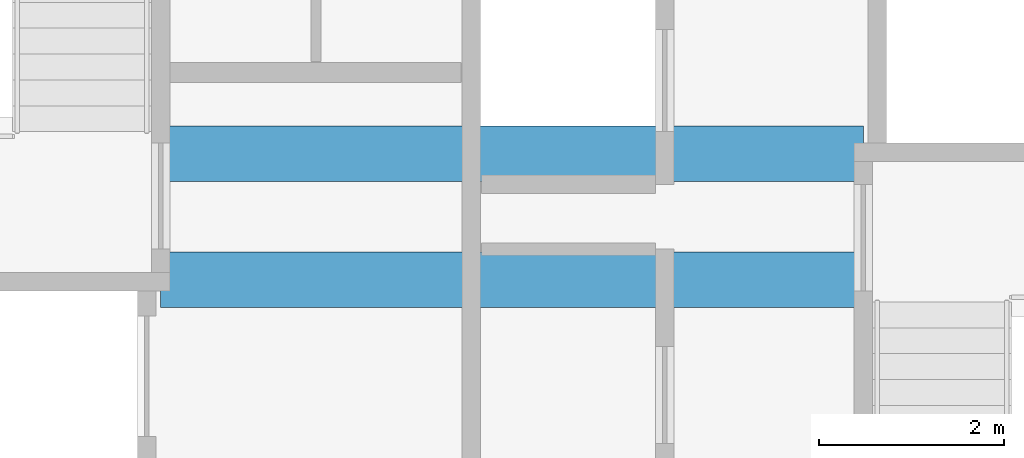
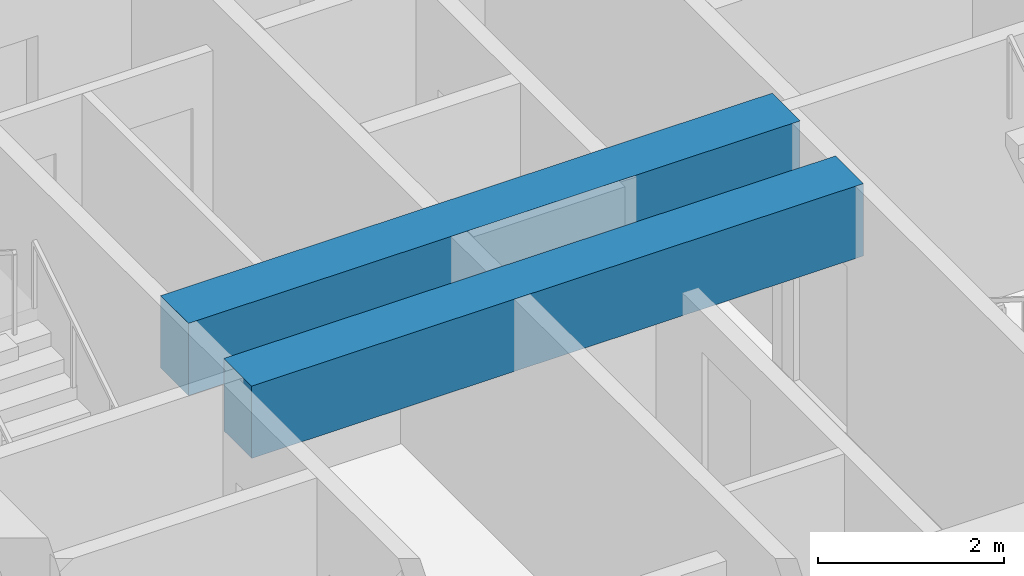
# One storey, part 9 of 48: 2 beams.
"""IFC4 building model written with IfcOpenShell, lengths in metres."""

from ifc_helpers import new_model, si_unit, direction, frame, origin, origin_2d, place, context, subcontext, project, spatial, rectangle, extrude, material, material_profile, profile_set, type_object, element, save


model = new_model("IFC4")

# Units and contexts
model_context = context("Model", 3, precision=1e-05, world=origin(), true_north=direction((0.0, 1.0)))
body_context = subcontext(model_context, "Body", "Model", "MODEL_VIEW")
ifc_project = project(units=[si_unit("LENGTHUNIT", "METRE"), si_unit("AREAUNIT", "SQUARE_METRE"), si_unit("VOLUMEUNIT", "CUBIC_METRE"), si_unit("PLANEANGLEUNIT", "RADIAN"), si_unit("MASSUNIT", "GRAM", prefix="KILO")], contexts=[model_context])

# Site, building, storey
site_placement = place(None, origin())
site = spatial("IfcSite", under=ifc_project, at=site_placement, CompositionType="ELEMENT")
building_placement = place(site_placement, origin())
building = spatial("IfcBuilding", under=site, at=building_placement, Name="Tashvorn Skyway Center", CompositionType="ELEMENT")
storey_placement = place(building_placement, frame((0.0, 0.0, 125.050048828125)))
storey = spatial("IfcBuildingStorey", under=building, at=storey_placement, Name="L33", CompositionType="ELEMENT", Elevation=125.050048828125)

# Beams
ifc_material = material(Name="Concrete C60/75", Category="concrete")
ifc_material_profile = material_profile(ifc_material, rectangle(XDim=0.60009765625, YDim=0.949951171875, at=origin_2d()), Name="RCB600x950")
ifc_profile_set = profile_set([ifc_material_profile], Name="Concrete C60/75")
beam_type = type_object("IfcBeamType", Name="BM-LINTEL-RCB600x950", PredefinedType="LINTEL", material=ifc_profile_set)
for number, where, z_axis, x_axis, name in (
    (1, (38.199951171875, 32.679931640625, 2.89501953125), (1.0, 0.0, 0.0), (0.0, 1.0, 0.0), "Tower 1 L33 Core Coupling Beam CN"),
    (2, (38.199951171875, 31.320068359375, 2.89501953125), (1.0, 0.0, 0.0), (0.0, 1.0, 0.0), "Tower 1 L33 Core Coupling Beam CS"),
):
    element("IfcBeam", number, at=place(storey_placement, frame(where, z_axis=z_axis, x_axis=x_axis)), inside=storey, type_object=beam_type, Name=name, PredefinedType="LINTEL", context=body_context, shape_type="SweptSolid", body=[
        extrude(rectangle(XDim=0.60009765625, YDim=0.949951171875, at=origin_2d()), origin(), (0.0, 0.0, 1.0), 7.60009765625),
    ])

save(model, "model.ifc")
